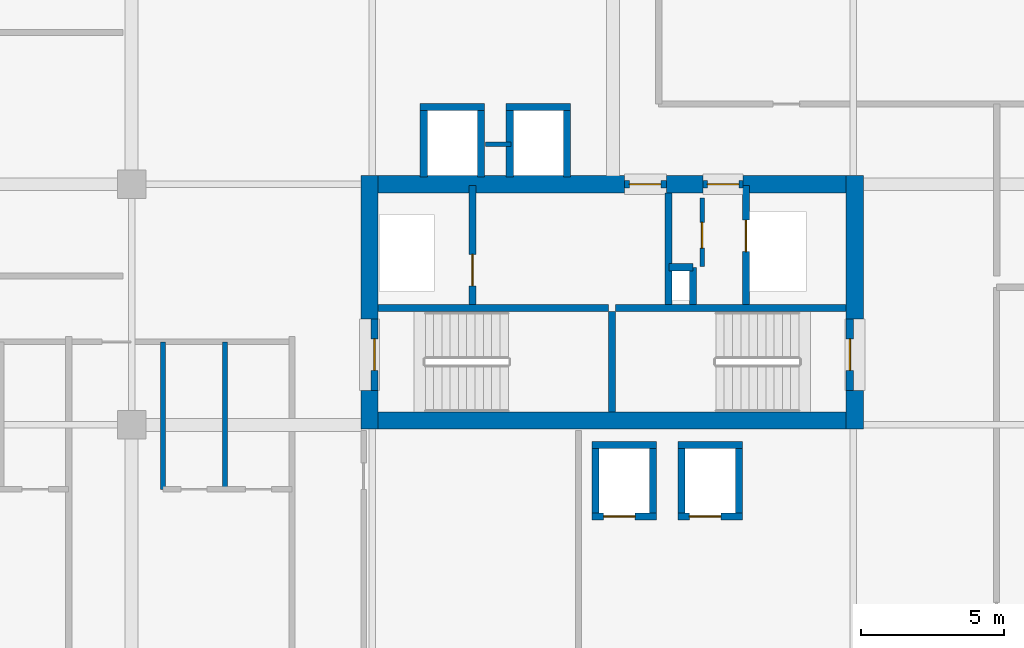
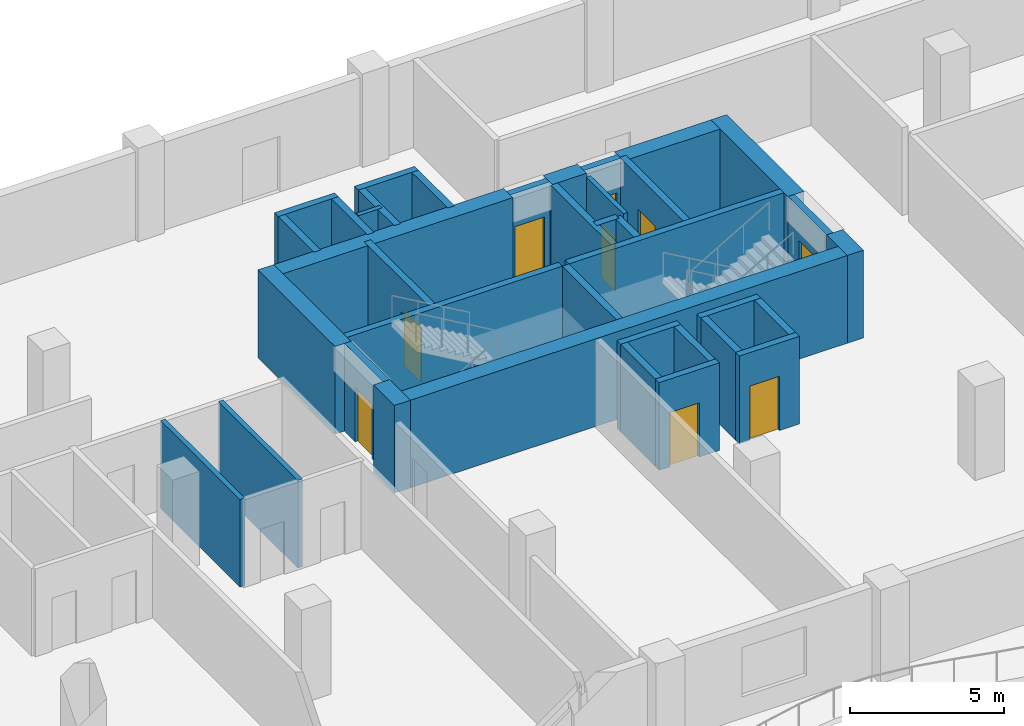
# One storey, part 5 of 14: 38 walls, 9 doors, 9 openings.
"""IFC4 building model written with IfcOpenShell, lengths in metres."""

from ifc_helpers import new_model, si_unit, direction, frame, frame_2d, origin, place, context, subcontext, project, spatial, rectangle, extrude, material, layer, layer_set, type_object, element, fill, save


model = new_model("IFC4")

# Units and contexts
model_context = context("Model", 3, precision=1e-05, world=origin(), true_north=direction((0.0, 1.0)))
body_context = subcontext(model_context, "Body", "Model", "MODEL_VIEW")
ifc_project = project(units=[si_unit("LENGTHUNIT", "METRE"), si_unit("AREAUNIT", "SQUARE_METRE"), si_unit("VOLUMEUNIT", "CUBIC_METRE"), si_unit("PLANEANGLEUNIT", "RADIAN"), si_unit("MASSUNIT", "GRAM", prefix="KILO")], contexts=[model_context])

# Site, building, storey
site_placement = place(None, origin())
site = spatial("IfcSite", under=ifc_project, at=site_placement, CompositionType="ELEMENT")
building_placement = place(site_placement, origin())
building = spatial("IfcBuilding", under=site, at=building_placement, Name="Koriwani Terraces Tower", CompositionType="ELEMENT")
storey_placement = place(building_placement, frame((0.0, 0.0, 208.699951171875)))
storey = spatial("IfcBuildingStorey", under=building, at=storey_placement, Name="L51", CompositionType="ELEMENT", Elevation=208.699951171875)

# Walls
ifc_material_1 = material(Name="Concrete C60/75", Category="concrete")
ifc_layer_1 = layer(ifc_material_1, 0.60009765625, Name="Concrete C60/75")
ifc_layer_set_1 = layer_set([ifc_layer_1], Name="Concrete C60/75")
wall_type_1 = type_object("IfcWallType", Name="WALL_CORE_RC_600", PredefinedType="SHEAR", material=ifc_layer_set_1)
wall_1_placement = place(storey_placement, frame((41.89990234375, 16.64990234375, 0.0), z_axis=(0.0, 0.0, 1.0), x_axis=(0.0, 1.0, 0.0)))
element("IfcWall", 1, at=wall_1_placement, inside=storey, type_object=wall_type_1, Name="L51 East Split Core Shear Wall W1", PredefinedType="SHEAR", context=body_context, shape_type="SweptSolid", body=[
    extrude(rectangle(XDim=1.35009765625, YDim=0.60009765625, at=frame_2d((0.675048828125, 0.0))), origin(), (0.0, 0.0, 1.0), 3.469970703125),
])
wall_2_placement = place(storey_placement, frame((41.89990234375, 20.5, 0.0), z_axis=(0.0, 0.0, 1.0), x_axis=(0.0, 1.0, 0.0)))
element("IfcWall", 2, at=wall_2_placement, inside=storey, type_object=wall_type_1, Name="L51 East Split Core Shear Wall W2", PredefinedType="SHEAR", context=body_context, shape_type="SweptSolid", body=[
    extrude(rectangle(XDim=5.0, YDim=0.60009765625, at=frame_2d((2.5, 0.0))), origin(), (0.0, 0.0, 1.0), 3.469970703125),
])
wall_3_placement = place(storey_placement, frame((58.85009765625, 16.64990234375, 0.0), z_axis=(0.0, 0.0, 1.0), x_axis=(0.0, 1.0, 0.0)))
element("IfcWall", 3, at=wall_3_placement, inside=storey, type_object=wall_type_1, Name="L51 East Split Core Shear Wall E1", PredefinedType="SHEAR", context=body_context, shape_type="SweptSolid", body=[
    extrude(rectangle(XDim=1.35009765625, YDim=0.60009765625, at=frame_2d((0.675048828125, 0.0))), origin(), (0.0, 0.0, 1.0), 3.469970703125),
])
wall_4_placement = place(storey_placement, frame((58.85009765625, 20.5, 0.0), z_axis=(0.0, 0.0, 1.0), x_axis=(0.0, 1.0, 0.0)))
element("IfcWall", 4, at=wall_4_placement, inside=storey, type_object=wall_type_1, Name="L51 East Split Core Shear Wall E2", PredefinedType="SHEAR", context=body_context, shape_type="SweptSolid", body=[
    extrude(rectangle(XDim=5.0, YDim=0.60009765625, at=frame_2d((2.5, 0.0))), origin(), (0.0, 0.0, 1.0), 3.469970703125),
])
wall_5_placement = place(storey_placement, frame((42.199951171875, 16.949951171875, 0.0), z_axis=(0.0, 0.0, 1.0), x_axis=(1.0, 0.0, 0.0)))
element("IfcWall", 5, at=wall_5_placement, inside=storey, type_object=wall_type_1, Name="L51 East Split Core Shear Wall S1", PredefinedType="SHEAR", context=body_context, shape_type="SweptSolid", body=[
    extrude(rectangle(XDim=16.35009765625, YDim=0.60009765625, at=frame_2d((8.175048828125, 0.0))), origin(), (0.0, 0.0, 1.0), 3.469970703125),
])
wall_6_placement = place(storey_placement, frame((42.199951171875, 25.199951171875, 0.0), z_axis=(0.0, 0.0, 1.0), x_axis=(1.0, 0.0, 0.0)))
element("IfcWall", 6, at=wall_6_placement, inside=storey, type_object=wall_type_1, Name="L51 East Split Core Shear Wall N1", PredefinedType="SHEAR", context=body_context, shape_type="SweptSolid", body=[
    extrude(rectangle(XDim=8.60009765625, YDim=0.60009765625, at=frame_2d((4.300048828125, 0.0))), origin(), (0.0, 0.0, 1.0), 3.469970703125),
])
wall_7_placement = place(storey_placement, frame((52.280029296875, 25.199951171875, 0.0), z_axis=(0.0, 0.0, 1.0), x_axis=(1.0, 0.0, 0.0)))
element("IfcWall", 7, at=wall_7_placement, inside=storey, type_object=wall_type_1, Name="L51 East Split Core Shear Wall N2", PredefinedType="SHEAR", context=body_context, shape_type="SweptSolid", body=[
    extrude(rectangle(XDim=1.27001953125, YDim=0.60009765625, at=frame_2d((0.635009765625, 0.0))), origin(), (0.0, 0.0, 1.0), 3.469970703125),
])
wall_8_placement = place(storey_placement, frame((54.949951171875, 25.199951171875, 0.0), z_axis=(0.0, 0.0, 1.0), x_axis=(1.0, 0.0, 0.0)))
element("IfcWall", 8, at=wall_8_placement, inside=storey, type_object=wall_type_1, Name="L51 East Split Core Shear Wall N3", PredefinedType="SHEAR", context=body_context, shape_type="SweptSolid", body=[
    extrude(rectangle(XDim=3.60009765625, YDim=0.60009765625, at=frame_2d((1.800048828125, 0.0))), origin(), (0.0, 0.0, 1.0), 3.469970703125),
])
ifc_material_2 = material(Name="Fire-Rated Acoustic Gypsum Partition", Category="masonry")
ifc_layer_2 = layer(ifc_material_2, 0.179931640625, Name="Fire-Rated Acoustic Gypsum Partition")
ifc_layer_set_2 = layer_set([ifc_layer_2], Name="Fire-Rated Acoustic Gypsum Partition")
wall_type_2 = type_object("IfcWallType", Name="WALL_PLUMBING_180", PredefinedType="PLUMBINGWALL", material=ifc_layer_set_2)
for number, where, z_axis, x_axis, name in (
    (9, (34.699951171875, 14.550048828125, 0.0), (0.0, 0.0, 1.0), (0.0, 1.0, 0.0), "L51 Interior Wall WRSVCS-L51-SW-3"),
    (10, (36.860107421875, 14.550048828125, 0.0), (0.0, 0.0, 1.0), (0.0, 1.0, 0.0), "L51 Interior Wall WRSVCM-L51-SW-3"),
):
    element("IfcWall", number, at=place(storey_placement, frame(where, z_axis=z_axis, x_axis=x_axis)), inside=storey, type_object=wall_type_2, Name=name, PredefinedType="PLUMBINGWALL", context=body_context, shape_type="SweptSolid", body=[
        extrude(rectangle(XDim=5.14990234375, YDim=0.179931640625, at=frame_2d((2.574951171875, 0.0))), origin(), (0.0, 0.0, 1.0), 3.469970703125),
    ])
ifc_material_3 = material(Name="Concrete C40/50", Category="concrete")
ifc_layer_3 = layer(ifc_material_3, 0.25, Name="Concrete C40/50")
ifc_layer_set_3 = layer_set([ifc_layer_3], Name="Concrete C40/50")
wall_type_3 = type_object("IfcWallType", Name="WALL_SHAFT_RATED_250", PredefinedType="SOLIDWALL", material=ifc_layer_set_3)
for number, where, z_axis, x_axis, name in (
    (11, (42.199951171875, 20.875, 0.0), (0.0, 0.0, 1.0), (1.0, 0.0, 0.0), "L51 East Split Core Web Wall MID1"),
    (12, (50.5, 20.875, 0.0), (0.0, 0.0, 1.0), (1.0, 0.0, 0.0), "L51 East Split Core Web Wall MID2"),
):
    element("IfcWall", number, at=place(storey_placement, frame(where, z_axis=z_axis, x_axis=x_axis)), inside=storey, type_object=wall_type_3, Name=name, PredefinedType="SOLIDWALL", context=body_context, shape_type="SweptSolid", body=[
        extrude(rectangle(XDim=8.050048828125, YDim=0.25, at=frame_2d((4.02490234375, 0.0))), origin(), (0.0, 0.0, 1.0), 3.469970703125),
    ])
wall_9_placement = place(storey_placement, frame((50.375, 17.25, 0.0), z_axis=(0.0, 0.0, 1.0), x_axis=(0.0, 1.0, 0.0)))
element("IfcWall", 13, at=wall_9_placement, inside=storey, type_object=wall_type_3, Name="L51 East Split Core Stair Dividing Wall", PredefinedType="SOLIDWALL", context=body_context, shape_type="SweptSolid", body=[
    extrude(rectangle(XDim=3.5, YDim=0.25, at=frame_2d((1.75, 0.0))), origin(), (0.0, 0.0, 1.0), 3.469970703125),
])

# Wall, opening, door
wall_10_placement = place(storey_placement, frame((42.074951171875, 18.0, 0.0), z_axis=(0.0, 0.0, 1.0), x_axis=(0.0, 1.0, 0.0)))
wall_10 = element("IfcWall", 14, at=wall_10_placement, inside=storey, type_object=wall_type_3, Name="L51 Interior Wall WIN-CE-L51-STW", PredefinedType="SOLIDWALL", context=body_context, shape_type="SweptSolid", body=[
    extrude(rectangle(XDim=2.5, YDim=0.25, at=frame_2d((1.25, 0.0))), origin(), (0.0, 0.0, 1.0), 3.469970703125),
])
opening_1_placement = place(wall_10_placement, frame((0.699951171875, 0.0, 0.0)))
opening_1 = element("IfcOpeningElement", 15, at=opening_1_placement, cuts=wall_10, Name="Opening D-03", PredefinedType="OPENING", context=body_context, shape_type="SweptSolid", body=[
    extrude(rectangle(XDim=1.10009765625, YDim=2.14990234375, at=frame_2d((0.550048828125, 1.074951171875))), frame((0.0, 0.135009765625, 0.0), z_axis=(0.0, -1.0, 0.0), x_axis=(1.0, 0.0, 0.0)), (0.0, 0.0, 1.0), 0.27001953125),
])
ifc_material_4 = material(Name="Steel ASTM A572 Grade 50", Category="steel")
door_type_1 = type_object("IfcDoorType", Name="DOOR_STAIR_FIRE_1100X2150", OperationType="NOTDEFINED", PredefinedType="DOOR", material=ifc_material_4)
door_1_placement = place(opening_1_placement, origin())
door_1 = element("IfcDoor", 16, at=door_1_placement, inside=storey, type_object=door_type_1, Name="L51 Exit Stair ST-E1 Door", OperationType="SINGLE_SWING_RIGHT", OverallHeight=2.14990234375, OverallWidth=1.10009765625, PredefinedType="DOOR", context=body_context, shape_type="SweptSolid", body=[
    extrude(rectangle(XDim=1.10009765625, YDim=2.14990234375, at=frame_2d((0.550048828125, 1.074951171875))), frame((0.0, 0.02490234375, 0.0), z_axis=(0.0, -1.0, 0.0), x_axis=(1.0, 0.0, 0.0)), (0.0, 0.0, 1.0), 0.050048828125),
])
fill(opening_1, door_1)

wall_11_placement = place(storey_placement, frame((58.675048828125, 18.0, 0.0), z_axis=(0.0, 0.0, 1.0), x_axis=(0.0, 1.0, 0.0)))
wall_11 = element("IfcWall", 17, at=wall_11_placement, inside=storey, type_object=wall_type_3, Name="L51 Interior Wall WIN-CE-L51-STE", PredefinedType="SOLIDWALL", context=body_context, shape_type="SweptSolid", body=[
    extrude(rectangle(XDim=2.5, YDim=0.25, at=frame_2d((1.25, 0.0))), origin(), (0.0, 0.0, 1.0), 3.469970703125),
])
opening_2_placement = place(wall_11_placement, frame((0.699951171875, 0.0, 0.0)))
opening_2 = element("IfcOpeningElement", 18, at=opening_2_placement, cuts=wall_11, Name="Opening D-03", PredefinedType="OPENING", context=body_context, shape_type="SweptSolid", body=[
    extrude(rectangle(XDim=1.10009765625, YDim=2.14990234375, at=frame_2d((0.550048828125, 1.074951171875))), frame((0.0, 0.135009765625, 0.0), z_axis=(0.0, -1.0, 0.0), x_axis=(1.0, 0.0, 0.0)), (0.0, 0.0, 1.0), 0.27001953125),
])
door_2_placement = place(opening_2_placement, origin())
door_2 = element("IfcDoor", 19, at=door_2_placement, inside=storey, type_object=door_type_1, Name="L51 Exit Stair ST-E2 Door", OperationType="SINGLE_SWING_LEFT", OverallHeight=2.14990234375, OverallWidth=1.10009765625, PredefinedType="DOOR", context=body_context, shape_type="SweptSolid", body=[
    extrude(rectangle(XDim=1.10009765625, YDim=2.14990234375, at=frame_2d((0.550048828125, 1.074951171875))), frame((0.0, 0.02490234375, 0.0), z_axis=(0.0, -1.0, 0.0), x_axis=(1.0, 0.0, 0.0)), (0.0, 0.0, 1.0), 0.050048828125),
])
fill(opening_2, door_2)

wall_12_placement = place(storey_placement, frame((45.5, 21.0, 0.0), z_axis=(0.0, 0.0, 1.0), x_axis=(0.0, 1.0, 0.0)))
wall_12 = element("IfcWall", 20, at=wall_12_placement, inside=storey, type_object=wall_type_3, Name="L51 Interior Wall WIN-CE-L51-FE", PredefinedType="SOLIDWALL", context=body_context, shape_type="SweptSolid", body=[
    extrude(rectangle(XDim=4.14990234375, YDim=0.25, at=frame_2d((2.074951171875, 0.0))), origin(), (0.0, 0.0, 1.0), 3.469970703125),
])
opening_3_placement = place(wall_12_placement, frame((0.64990234375, 0.0, 0.0)))
opening_3 = element("IfcOpeningElement", 21, at=opening_3_placement, cuts=wall_12, Name="Opening LD-01", PredefinedType="OPENING", context=body_context, shape_type="SweptSolid", body=[
    extrude(rectangle(XDim=1.10009765625, YDim=2.14990234375, at=frame_2d((0.550048828125, 1.074951171875))), frame((0.0, 0.135009765625, 0.0), z_axis=(0.0, -1.0, 0.0), x_axis=(1.0, 0.0, 0.0)), (0.0, 0.0, 1.0), 0.27001953125),
])
door_type_2 = type_object("IfcDoorType", Name="DOOR_LIFT_LANDING_1100X2200", OperationType="NOTDEFINED", PredefinedType="DOOR", material=ifc_material_4)
door_3_placement = place(opening_3_placement, origin())
door_3 = element("IfcDoor", 22, at=door_3_placement, inside=storey, type_object=door_type_2, Name="L51 Firefighting Lift FE-02 Landing Door", OperationType="SLIDING_TO_LEFT", OverallHeight=2.14990234375, OverallWidth=1.10009765625, PredefinedType="DOOR", context=body_context, shape_type="SweptSolid", body=[
    extrude(rectangle(XDim=1.10009765625, YDim=2.14990234375, at=frame_2d((0.550048828125, 1.074951171875))), frame((0.0, 0.02490234375, 0.0), z_axis=(0.0, -1.0, 0.0), x_axis=(1.0, 0.0, 0.0)), (0.0, 0.0, 1.0), 0.050048828125),
])
fill(opening_3, door_3)

wall_13_placement = place(storey_placement, frame((50.800048828125, 25.199951171875, 0.0), z_axis=(0.0, 0.0, 1.0), x_axis=(1.0, 0.0, 0.0)))
wall_13 = element("IfcWall", 23, at=wall_13_placement, inside=storey, type_object=wall_type_3, Name="L51 Interior Wall WIN-CE-L51-NP", PredefinedType="SOLIDWALL", context=body_context, shape_type="SweptSolid", body=[
    extrude(rectangle(XDim=1.47998046875, YDim=0.25, at=frame_2d((0.739990234375, 0.0))), origin(), (0.0, 0.0, 1.0), 3.469970703125),
])
opening_4_placement = place(wall_13_placement, frame((0.179931640625, 0.0, 0.0)))
opening_4 = element("IfcOpeningElement", 24, at=opening_4_placement, cuts=wall_13, Name="Opening D-03", PredefinedType="OPENING", context=body_context, shape_type="SweptSolid", body=[
    extrude(rectangle(XDim=1.10009765625, YDim=2.14990234375, at=frame_2d((0.550048828125, 1.074951171875))), frame((0.0, 0.135009765625, 0.0), z_axis=(0.0, -1.0, 0.0), x_axis=(1.0, 0.0, 0.0)), (0.0, 0.0, 1.0), 0.27001953125),
])
door_4_placement = place(opening_4_placement, origin())
door_4 = element("IfcDoor", 25, at=door_4_placement, inside=storey, type_object=door_type_1, Name="L51 East Firefighting Lobby Door", OperationType="SINGLE_SWING_RIGHT", OverallHeight=2.14990234375, OverallWidth=1.10009765625, PredefinedType="DOOR", context=body_context, shape_type="SweptSolid", body=[
    extrude(rectangle(XDim=1.10009765625, YDim=2.14990234375, at=frame_2d((0.550048828125, 1.074951171875))), frame((0.0, 0.02490234375, 0.0), z_axis=(0.0, -1.0, 0.0), x_axis=(1.0, 0.0, 0.0)), (0.0, 0.0, 1.0), 0.050048828125),
])
fill(opening_4, door_4)

# Wall
wall_14_placement = place(storey_placement, frame((52.340087890625, 21.0, 0.0), z_axis=(0.0, 0.0, 1.0), x_axis=(0.0, 1.0, 0.0)))
element("IfcWall", 26, at=wall_14_placement, inside=storey, type_object=wall_type_3, Name="L51 Interior Wall WIN-CE-L51-FFE", PredefinedType="SOLIDWALL", context=body_context, shape_type="SweptSolid", body=[
    extrude(rectangle(XDim=3.89990234375, YDim=0.25, at=frame_2d((1.949951171875, 0.0))), origin(), (0.0, 0.0, 1.0), 3.469970703125),
])

# Wall, opening, door
wall_15_placement = place(storey_placement, frame((55.050048828125, 21.0, 0.0), z_axis=(0.0, 0.0, 1.0), x_axis=(0.0, 1.0, 0.0)))
wall_15 = element("IfcWall", 27, at=wall_15_placement, inside=storey, type_object=wall_type_3, Name="L51 Interior Wall WIN-CE-L51-SE", PredefinedType="SOLIDWALL", context=body_context, shape_type="SweptSolid", body=[
    extrude(rectangle(XDim=4.14990234375, YDim=0.25, at=frame_2d((2.074951171875, 0.0))), origin(), (0.0, 0.0, 1.0), 3.469970703125),
])
opening_5_placement = place(wall_15_placement, frame((1.85009765625, 0.0, 0.0)))
opening_5 = element("IfcOpeningElement", 28, at=opening_5_placement, cuts=wall_15, Name="Opening LD-01", PredefinedType="OPENING", context=body_context, shape_type="SweptSolid", body=[
    extrude(rectangle(XDim=1.10009765625, YDim=2.14990234375, at=frame_2d((0.550048828125, 1.074951171875))), frame((0.0, 0.135009765625, 0.0), z_axis=(0.0, -1.0, 0.0), x_axis=(1.0, 0.0, 0.0)), (0.0, 0.0, 1.0), 0.27001953125),
])
door_5_placement = place(opening_5_placement, origin())
door_5 = element("IfcDoor", 29, at=door_5_placement, inside=storey, type_object=door_type_2, Name="L51 Goods Lift SE-02 Landing Door", OperationType="SLIDING_TO_LEFT", OverallHeight=2.14990234375, OverallWidth=1.10009765625, PredefinedType="DOOR", context=body_context, shape_type="SweptSolid", body=[
    extrude(rectangle(XDim=1.10009765625, YDim=2.14990234375, at=frame_2d((0.550048828125, 1.074951171875))), frame((0.0, 0.02490234375, 0.0), z_axis=(0.0, -1.0, 0.0), x_axis=(1.0, 0.0, 0.0)), (0.0, 0.0, 1.0), 0.050048828125),
])
fill(opening_5, door_5)

wall_16_placement = place(storey_placement, frame((53.550048828125, 25.199951171875, 0.0), z_axis=(0.0, 0.0, 1.0), x_axis=(1.0, 0.0, 0.0)))
wall_16 = element("IfcWall", 30, at=wall_16_placement, inside=storey, type_object=wall_type_3, Name="L51 Interior Wall WIN-CE-L51-NP2", PredefinedType="SOLIDWALL", context=body_context, shape_type="SweptSolid", body=[
    extrude(rectangle(XDim=1.39990234375, YDim=0.25, at=frame_2d((0.699951171875, 0.0))), origin(), (0.0, 0.0, 1.0), 3.469970703125),
])
opening_6_placement = place(wall_16_placement, frame((0.14990234375, 0.0, 0.0)))
opening_6 = element("IfcOpeningElement", 31, at=opening_6_placement, cuts=wall_16, Name="Opening D-03", PredefinedType="OPENING", context=body_context, shape_type="SweptSolid", body=[
    extrude(rectangle(XDim=1.10009765625, YDim=2.14990234375, at=frame_2d((0.550048828125, 1.074951171875))), frame((0.0, 0.135009765625, 0.0), z_axis=(0.0, -1.0, 0.0), x_axis=(1.0, 0.0, 0.0)), (0.0, 0.0, 1.0), 0.27001953125),
])
door_6_placement = place(opening_6_placement, origin())
door_6 = element("IfcDoor", 32, at=door_6_placement, inside=storey, type_object=door_type_1, Name="L51 East Goods Lift Lobby Door", OperationType="SINGLE_SWING_LEFT", OverallHeight=2.14990234375, OverallWidth=1.10009765625, PredefinedType="DOOR", context=body_context, shape_type="SweptSolid", body=[
    extrude(rectangle(XDim=1.10009765625, YDim=2.14990234375, at=frame_2d((0.550048828125, 1.074951171875))), frame((0.0, 0.02490234375, 0.0), z_axis=(0.0, -1.0, 0.0), x_axis=(1.0, 0.0, 0.0)), (0.0, 0.0, 1.0), 0.050048828125),
])
fill(opening_6, door_6)

# Walls
wall_17_placement = place(storey_placement, frame((53.199951171875, 21.0, 0.0), z_axis=(0.0, 0.0, 1.0), x_axis=(0.0, 1.0, 0.0)))
element("IfcWall", 33, at=wall_17_placement, inside=storey, type_object=wall_type_3, Name="L51 Interior Wall WIN-CE-L51-RS1", PredefinedType="SOLIDWALL", context=body_context, shape_type="SweptSolid", body=[
    extrude(rectangle(XDim=1.300048828125, YDim=0.25, at=frame_2d((0.64990234375, 0.0))), origin(), (0.0, 0.0, 1.0), 3.469970703125),
])
wall_18_placement = place(storey_placement, frame((52.360107421875, 22.300048828125, 0.0), z_axis=(0.0, 0.0, 1.0), x_axis=(1.0, 0.0, 0.0)))
element("IfcWall", 34, at=wall_18_placement, inside=storey, type_object=wall_type_3, Name="L51 Interior Wall WIN-CE-L51-RS2", PredefinedType="SOLIDWALL", context=body_context, shape_type="SweptSolid", body=[
    extrude(rectangle(XDim=0.83984375, YDim=0.25, at=frame_2d((0.419921875, 0.0))), origin(), (0.0, 0.0, 1.0), 3.469970703125),
])

# Wall, opening, door
wall_19_placement = place(storey_placement, frame((49.675048828125, 13.60009765625, 0.0), z_axis=(0.0, 0.0, 1.0), x_axis=(1.0, 0.0, 0.0)))
wall_19 = element("IfcWall", 35, at=wall_19_placement, inside=storey, type_object=wall_type_3, Name="L51 Interior Wall WIN-LF-PE-M3-L51-F", PredefinedType="SOLIDWALL", context=body_context, shape_type="SweptSolid", body=[
    extrude(rectangle(XDim=2.25, YDim=0.25, at=frame_2d((1.125, 0.0))), origin(), (0.0, 0.0, 1.0), 3.469970703125),
])
opening_7_placement = place(wall_19_placement, frame((0.39990234375, 0.0, 0.0)))
opening_7 = element("IfcOpeningElement", 36, at=opening_7_placement, cuts=wall_19, Name="Opening LD-01", PredefinedType="OPENING", context=body_context, shape_type="SweptSolid", body=[
    extrude(rectangle(XDim=1.10009765625, YDim=2.14990234375, at=frame_2d((0.550048828125, 1.074951171875))), frame((0.0, 0.135009765625, 0.0), z_axis=(0.0, -1.0, 0.0), x_axis=(1.0, 0.0, 0.0)), (0.0, 0.0, 1.0), 0.27001953125),
])
door_7_placement = place(opening_7_placement, origin())
door_7 = element("IfcDoor", 37, at=door_7_placement, inside=storey, type_object=door_type_2, Name="L51 Passenger Lift PE-M3 Landing Door", OperationType="SLIDING_TO_LEFT", OverallHeight=2.14990234375, OverallWidth=1.10009765625, PredefinedType="DOOR", context=body_context, shape_type="SweptSolid", body=[
    extrude(rectangle(XDim=1.10009765625, YDim=2.14990234375, at=frame_2d((0.550048828125, 1.074951171875))), frame((0.0, 0.02490234375, 0.0), z_axis=(0.0, -1.0, 0.0), x_axis=(1.0, 0.0, 0.0)), (0.0, 0.0, 1.0), 0.050048828125),
])
fill(opening_7, door_7)

# Walls
for number, where, z_axis, x_axis, name in (
    (38, (49.675048828125, 16.10009765625, 0.0), (0.0, 0.0, 1.0), (1.0, 0.0, 0.0), "L51 Interior Wall WIN-LF-PE-M3-L51-B"),
    (39, (49.800048828125, 13.72509765625, 0.0), (0.0, 0.0, 1.0), (0.0, 1.0, 0.0), "L51 Interior Wall WIN-LF-PE-M3-L51-W"),
    (40, (51.800048828125, 13.72509765625, 0.0), (0.0, 0.0, 1.0), (0.0, 1.0, 0.0), "L51 Interior Wall WIN-LF-PE-M3-L51-E"),
):
    element("IfcWall", number, at=place(storey_placement, frame(where, z_axis=z_axis, x_axis=x_axis)), inside=storey, type_object=wall_type_3, Name=name, PredefinedType="SOLIDWALL", context=body_context, shape_type="SweptSolid", body=[
        extrude(rectangle(XDim=2.25, YDim=0.25, at=frame_2d((1.125, 0.0))), origin(), (0.0, 0.0, 1.0), 3.469970703125),
    ])

# Wall, opening, door
wall_20_placement = place(storey_placement, frame((52.675048828125, 13.60009765625, 0.0), z_axis=(0.0, 0.0, 1.0), x_axis=(1.0, 0.0, 0.0)))
wall_20 = element("IfcWall", 41, at=wall_20_placement, inside=storey, type_object=wall_type_3, Name="L51 Interior Wall WIN-LF-PE-M4-L51-F", PredefinedType="SOLIDWALL", context=body_context, shape_type="SweptSolid", body=[
    extrude(rectangle(XDim=2.25, YDim=0.25, at=frame_2d((1.125, 0.0))), origin(), (0.0, 0.0, 1.0), 3.469970703125),
])
opening_8_placement = place(wall_20_placement, frame((0.39990234375, 0.0, 0.0)))
opening_8 = element("IfcOpeningElement", 42, at=opening_8_placement, cuts=wall_20, Name="Opening LD-01", PredefinedType="OPENING", context=body_context, shape_type="SweptSolid", body=[
    extrude(rectangle(XDim=1.10009765625, YDim=2.14990234375, at=frame_2d((0.550048828125, 1.074951171875))), frame((0.0, 0.135009765625, 0.0), z_axis=(0.0, -1.0, 0.0), x_axis=(1.0, 0.0, 0.0)), (0.0, 0.0, 1.0), 0.27001953125),
])
door_8_placement = place(opening_8_placement, origin())
door_8 = element("IfcDoor", 43, at=door_8_placement, inside=storey, type_object=door_type_2, Name="L51 Passenger Lift PE-M4 Landing Door", OperationType="SLIDING_TO_LEFT", OverallHeight=2.14990234375, OverallWidth=1.10009765625, PredefinedType="DOOR", context=body_context, shape_type="SweptSolid", body=[
    extrude(rectangle(XDim=1.10009765625, YDim=2.14990234375, at=frame_2d((0.550048828125, 1.074951171875))), frame((0.0, 0.02490234375, 0.0), z_axis=(0.0, -1.0, 0.0), x_axis=(1.0, 0.0, 0.0)), (0.0, 0.0, 1.0), 0.050048828125),
])
fill(opening_8, door_8)

# Walls
for number, where, z_axis, x_axis, name in (
    (44, (52.675048828125, 16.10009765625, 0.0), (0.0, 0.0, 1.0), (1.0, 0.0, 0.0), "L51 Interior Wall WIN-LF-PE-M4-L51-B"),
    (45, (52.800048828125, 13.72509765625, 0.0), (0.0, 0.0, 1.0), (0.0, 1.0, 0.0), "L51 Interior Wall WIN-LF-PE-M4-L51-W"),
    (46, (54.800048828125, 13.72509765625, 0.0), (0.0, 0.0, 1.0), (0.0, 1.0, 0.0), "L51 Interior Wall WIN-LF-PE-M4-L51-E"),
    (47, (43.675048828125, 27.89990234375, 0.0), (0.0, 0.0, 1.0), (1.0, 0.0, 0.0), "L51 Interior Wall WIN-LF-PE-H3-L51-F"),
):
    element("IfcWall", number, at=place(storey_placement, frame(where, z_axis=z_axis, x_axis=x_axis)), inside=storey, type_object=wall_type_3, Name=name, PredefinedType="SOLIDWALL", context=body_context, shape_type="SweptSolid", body=[
        extrude(rectangle(XDim=2.25, YDim=0.25, at=frame_2d((1.125, 0.0))), origin(), (0.0, 0.0, 1.0), 3.469970703125),
    ])
for number, where, z_axis, x_axis, name in (
    (48, (43.800048828125, 25.449951171875, 0.0), (0.0, 0.0, 1.0), (0.0, 1.0, 0.0), "L51 Interior Wall WIN-LF-PE-H3-L51-W"),
    (49, (45.800048828125, 25.449951171875, 0.0), (0.0, 0.0, 1.0), (0.0, 1.0, 0.0), "L51 Interior Wall WIN-LF-PE-H3-L51-E"),
):
    element("IfcWall", number, at=place(storey_placement, frame(where, z_axis=z_axis, x_axis=x_axis)), inside=storey, type_object=wall_type_3, Name=name, PredefinedType="SOLIDWALL", context=body_context, shape_type="SweptSolid", body=[
        extrude(rectangle(XDim=2.324951171875, YDim=0.25, at=frame_2d((1.16259765625, 0.0))), origin(), (0.0, 0.0, 1.0), 3.469970703125),
    ])
wall_21_placement = place(storey_placement, frame((46.675048828125, 27.89990234375, 0.0), z_axis=(0.0, 0.0, 1.0), x_axis=(1.0, 0.0, 0.0)))
element("IfcWall", 50, at=wall_21_placement, inside=storey, type_object=wall_type_3, Name="L51 Interior Wall WIN-LF-PE-H4-L51-F", PredefinedType="SOLIDWALL", context=body_context, shape_type="SweptSolid", body=[
    extrude(rectangle(XDim=2.25, YDim=0.25, at=frame_2d((1.125, 0.0))), origin(), (0.0, 0.0, 1.0), 3.469970703125),
])
for number, where, z_axis, x_axis, name in (
    (51, (46.800048828125, 25.449951171875, 0.0), (0.0, 0.0, 1.0), (0.0, 1.0, 0.0), "L51 Interior Wall WIN-LF-PE-H4-L51-W"),
    (52, (48.800048828125, 25.449951171875, 0.0), (0.0, 0.0, 1.0), (0.0, 1.0, 0.0), "L51 Interior Wall WIN-LF-PE-H4-L51-E"),
):
    element("IfcWall", number, at=place(storey_placement, frame(where, z_axis=z_axis, x_axis=x_axis)), inside=storey, type_object=wall_type_3, Name=name, PredefinedType="SOLIDWALL", context=body_context, shape_type="SweptSolid", body=[
        extrude(rectangle(XDim=2.324951171875, YDim=0.25, at=frame_2d((1.16259765625, 0.0))), origin(), (0.0, 0.0, 1.0), 3.469970703125),
    ])

# Wall, opening, door
ifc_layer_4 = layer(ifc_material_2, 0.159912109375, Name="Fire-Rated Acoustic Gypsum Partition")
ifc_layer_set_4 = layer_set([ifc_layer_4], Name="Fire-Rated Acoustic Gypsum Partition")
wall_type_4 = type_object("IfcWallType", Name="WALL_SUITE_160", PredefinedType="PARTITIONING", material=ifc_layer_set_4)
wall_22_placement = place(storey_placement, frame((53.52001953125, 22.320068359375, 0.0), z_axis=(0.0, 0.0, 1.0), x_axis=(0.0, 1.0, 0.0)))
wall_22 = element("IfcWall", 53, at=wall_22_placement, inside=storey, type_object=wall_type_4, Name="L51 Interior Wall WIN-CE-L51-SV0", PredefinedType="PARTITIONING", context=body_context, shape_type="SweptSolid", body=[
    extrude(rectangle(XDim=2.39990234375, YDim=0.159912109375, at=frame_2d((1.199951171875, 0.0))), origin(), (0.0, 0.0, 1.0), 3.469970703125),
])
opening_9_placement = place(wall_22_placement, frame((0.64990234375, 0.0, 0.0)))
opening_9 = element("IfcOpeningElement", 54, at=opening_9_placement, cuts=wall_22, Name="Opening D-07", PredefinedType="OPENING", context=body_context, shape_type="SweptSolid", body=[
    extrude(rectangle(XDim=0.89990234375, YDim=2.10009765625, at=frame_2d((0.449951171875, 1.050048828125))), frame((0.0, 0.08984375, 0.0), z_axis=(0.0, -1.0, 0.0), x_axis=(1.0, 0.0, 0.0)), (0.0, 0.0, 1.0), 0.179931640625),
])
ifc_material_5 = material(Name="Architectural Oak Fire Door", Category="wood")
door_type_3 = type_object("IfcDoorType", Name="DOOR_BATH_INT_900X2100", OperationType="NOTDEFINED", PredefinedType="DOOR", material=ifc_material_5)
door_9_placement = place(opening_9_placement, origin())
door_9 = element("IfcDoor", 55, at=door_9_placement, inside=storey, type_object=door_type_3, Name="L51 East Electrical Switch Room Door", OperationType="SINGLE_SWING_RIGHT", OverallHeight=2.10009765625, OverallWidth=0.89990234375, PredefinedType="DOOR", context=body_context, shape_type="SweptSolid", body=[
    extrude(rectangle(XDim=0.89990234375, YDim=2.10009765625, at=frame_2d((0.449951171875, 1.050048828125))), frame((0.0, 0.02490234375, 0.0), z_axis=(0.0, -1.0, 0.0), x_axis=(1.0, 0.0, 0.0)), (0.0, 0.0, 1.0), 0.050048828125),
])
fill(opening_9, door_9)

# Wall
wall_23_placement = place(storey_placement, frame((45.9599609375, 26.60009765625, 0.0), z_axis=(0.0, 0.0, 1.0), x_axis=(1.0, 0.0, 0.0)))
element("IfcWall", 56, at=wall_23_placement, inside=storey, type_object=wall_type_4, Name="L51 Interior Wall WIN-LF-PEH34-MID-L51", PredefinedType="PARTITIONING", context=body_context, shape_type="SweptSolid", body=[
    extrude(rectangle(XDim=0.880126953125, YDim=0.159912109375, at=frame_2d((0.43994140625, 0.0))), origin(), (0.0, 0.0, 1.0), 3.469970703125),
])

save(model, "model.ifc")
